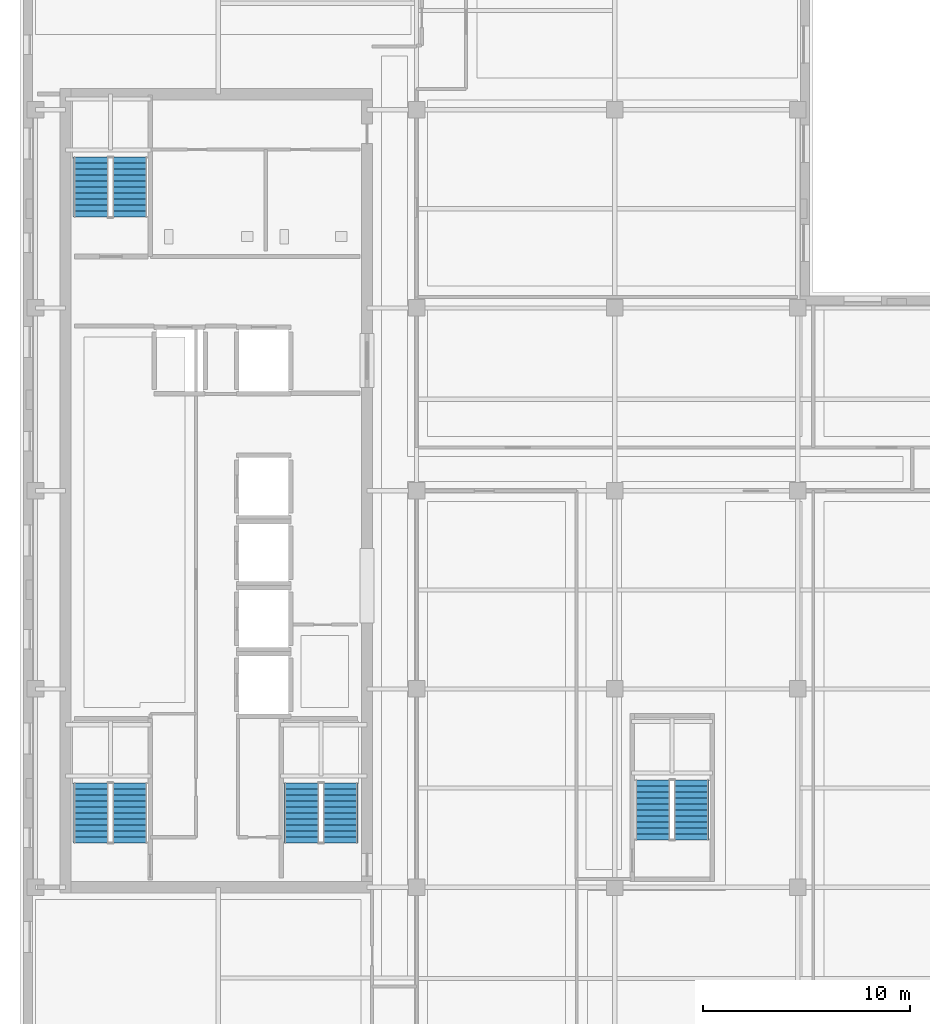
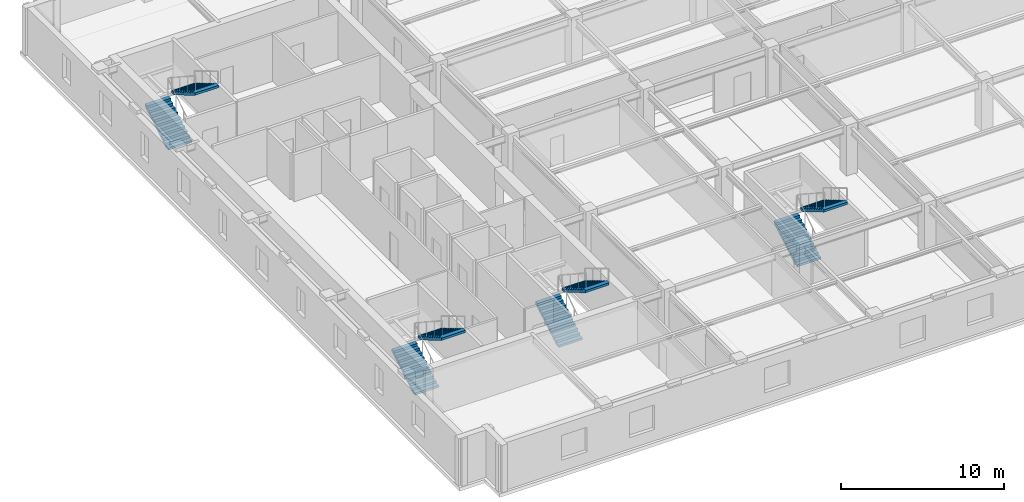
# One storey, part 7 of 12: 8 stair flights, 4 elements without a shape of their own.
"""IFC4 building model written with IfcOpenShell, lengths in metres."""

from ifc_helpers import new_model, si_unit, direction, frame, origin, place, context, subcontext, project, spatial, polyline, outline, extrude, material, type_object, element, aggregate, save


model = new_model("IFC4")

# Units and contexts
model_context = context("Model", 3, precision=1e-05, world=origin(), true_north=direction((0.0, 1.0)))
body_context = subcontext(model_context, "Body", "Model", "MODEL_VIEW")
ifc_project = project(units=[si_unit("LENGTHUNIT", "METRE"), si_unit("AREAUNIT", "SQUARE_METRE"), si_unit("VOLUMEUNIT", "CUBIC_METRE"), si_unit("PLANEANGLEUNIT", "RADIAN"), si_unit("MASSUNIT", "GRAM", prefix="KILO")], contexts=[model_context])

# Site, building, storey
site_placement = place(None, origin())
site = spatial("IfcSite", under=ifc_project, at=site_placement, CompositionType="ELEMENT")
building_placement = place(site_placement, origin())
building = spatial("IfcBuilding", under=site, at=building_placement, Name="Norrvale University Quadrangle", CompositionType="ELEMENT")
storey_placement = place(building_placement, frame((0.0, 0.0, 244.60009765625)))
storey = spatial("IfcBuildingStorey", under=building, at=storey_placement, Name="L62", CompositionType="ELEMENT", Elevation=244.60009765625)

# Stair, stair flights
ifc_material = material(Name="Concrete C40/50", Category="concrete")
stair_type = type_object("IfcStairType", Name="Stair Tower Typ 3800", PredefinedType="TWO_STRAIGHT_RUN_STAIR", material=ifc_material)
stair_1_placement = place(storey_placement, origin())
stair_1 = element("IfcStair", 1, at=stair_1_placement, inside=storey, type_object=stair_type, Name="Exit Stair ST-01 L62", PredefinedType="TWO_STRAIGHT_RUN_STAIR")
stair_flight_type = type_object("IfcStairFlightType", Name="Flight Typ 1500", PredefinedType="STRAIGHT", material=ifc_material)
stair_flight_1_placement = place(storey_placement, frame((3.429931640625, 11.75, 0.0), z_axis=(0.0, 0.0, 1.0), x_axis=(0.0, 1.0, 0.0)))
stair_flight_1 = element("IfcStairFlight", 2, at=stair_flight_1_placement, type_object=stair_flight_type, Name="Exit Stair ST-01 L62 Lower Flight", NumberOfRisers=11, NumberOfTreads=10, PredefinedType="STRAIGHT", RiserHeight=0.172727, TreadLength=0.29, context=body_context, shape_type="SweptSolid", body=[
    extrude(outline(polyline([(0.0, 0.0), (0.0, 0.172607421875), (0.2900390625, 0.172607421875), (0.2900390625, 0.345458984375), (0.580078125, 0.345458984375), (0.580078125, 0.51806640625), (0.8701171875, 0.51806640625), (0.8701171875, 0.69091796875), (1.159912109375, 0.69091796875), (1.159912109375, 0.863525390625), (1.449951171875, 0.863525390625), (1.449951171875, 1.036376953125), (1.739990234375, 1.036376953125), (1.739990234375, 1.208984375), (2.030029296875, 1.208984375), (2.030029296875, 1.3818359375), (2.320068359375, 1.3818359375), (2.320068359375, 1.554443359375), (2.610107421875, 1.554443359375), (2.610107421875, 1.727294921875), (2.89990234375, 1.727294921875), (2.89990234375, 1.89990234375), (2.89990234375, 1.552734375), (0.29296875, 0.0), (0.0, 0.0)])), frame((0.0, 0.83984375, 0.0), z_axis=(0.0, -1.0, 0.0), x_axis=(1.0, 0.0, 0.0)), (0.0, 0.0, 1.0), 1.679931640625),
])
stair_flight_2_placement = place(storey_placement, frame((5.320068359375, 14.64990234375, 1.89990234375), z_axis=(0.0, 0.0, 1.0), x_axis=(0.0, -1.0, 0.0)))
stair_flight_2 = element("IfcStairFlight", 3, at=stair_flight_2_placement, type_object=stair_flight_type, Name="Exit Stair ST-01 L62 Upper Flight", NumberOfRisers=11, NumberOfTreads=10, PredefinedType="STRAIGHT", RiserHeight=0.172727, TreadLength=0.29, context=body_context, shape_type="SweptSolid", body=[
    extrude(outline(polyline([(0.0, 0.0), (0.0, 0.172607421875), (0.2900390625, 0.172607421875), (0.2900390625, 0.345458984375), (0.580078125, 0.345458984375), (0.580078125, 0.51806640625), (0.8701171875, 0.51806640625), (0.8701171875, 0.69091796875), (1.159912109375, 0.69091796875), (1.159912109375, 0.863525390625), (1.449951171875, 0.863525390625), (1.449951171875, 1.036376953125), (1.739990234375, 1.036376953125), (1.739990234375, 1.208984375), (2.030029296875, 1.208984375), (2.030029296875, 1.3818359375), (2.320068359375, 1.3818359375), (2.320068359375, 1.554443359375), (2.610107421875, 1.554443359375), (2.610107421875, 1.727294921875), (2.89990234375, 1.727294921875), (2.89990234375, 1.89990234375), (2.89990234375, 1.552734375), (0.29296875, 0.0), (0.0, 0.0)])), frame((0.0, 0.83984375, 0.0), z_axis=(0.0, -1.0, 0.0), x_axis=(1.0, 0.0, 0.0)), (0.0, 0.0, 1.0), 1.679931640625),
])
aggregate(stair_1, [stair_flight_1, stair_flight_2])

stair_2_placement = place(storey_placement, origin())
stair_2 = element("IfcStair", 4, at=stair_2_placement, inside=storey, type_object=stair_type, Name="Exit Stair ST-02 L62", PredefinedType="TWO_STRAIGHT_RUN_STAIR")
stair_flight_3_placement = place(storey_placement, frame((3.429931640625, 42.050048828125, 0.0), z_axis=(0.0, 0.0, 1.0), x_axis=(0.0, 1.0, 0.0)))
stair_flight_3 = element("IfcStairFlight", 5, at=stair_flight_3_placement, type_object=stair_flight_type, Name="Exit Stair ST-02 L62 Lower Flight", NumberOfRisers=11, NumberOfTreads=10, PredefinedType="STRAIGHT", RiserHeight=0.172727, TreadLength=0.29, context=body_context, shape_type="SweptSolid", body=[
    extrude(outline(polyline([(0.0, 0.0), (0.0, 0.172607421875), (0.2900390625, 0.172607421875), (0.2900390625, 0.345458984375), (0.580078125, 0.345458984375), (0.580078125, 0.51806640625), (0.8701171875, 0.51806640625), (0.8701171875, 0.69091796875), (1.159912109375, 0.69091796875), (1.159912109375, 0.863525390625), (1.449951171875, 0.863525390625), (1.449951171875, 1.036376953125), (1.739990234375, 1.036376953125), (1.739990234375, 1.208984375), (2.030029296875, 1.208984375), (2.030029296875, 1.3818359375), (2.320068359375, 1.3818359375), (2.320068359375, 1.554443359375), (2.610107421875, 1.554443359375), (2.610107421875, 1.727294921875), (2.89990234375, 1.727294921875), (2.89990234375, 1.89990234375), (2.89990234375, 1.552734375), (0.29296875, 0.0), (0.0, 0.0)])), frame((0.0, 0.83984375, 0.0), z_axis=(0.0, -1.0, 0.0), x_axis=(1.0, 0.0, 0.0)), (0.0, 0.0, 1.0), 1.679931640625),
])
stair_flight_4_placement = place(storey_placement, frame((5.320068359375, 44.949951171875, 1.89990234375), z_axis=(0.0, 0.0, 1.0), x_axis=(0.0, -1.0, 0.0)))
stair_flight_4 = element("IfcStairFlight", 6, at=stair_flight_4_placement, type_object=stair_flight_type, Name="Exit Stair ST-02 L62 Upper Flight", NumberOfRisers=11, NumberOfTreads=10, PredefinedType="STRAIGHT", RiserHeight=0.172727, TreadLength=0.29, context=body_context, shape_type="SweptSolid", body=[
    extrude(outline(polyline([(0.0, 0.0), (0.0, 0.172607421875), (0.2900390625, 0.172607421875), (0.2900390625, 0.345458984375), (0.580078125, 0.345458984375), (0.580078125, 0.51806640625), (0.8701171875, 0.51806640625), (0.8701171875, 0.69091796875), (1.159912109375, 0.69091796875), (1.159912109375, 0.863525390625), (1.449951171875, 0.863525390625), (1.449951171875, 1.036376953125), (1.739990234375, 1.036376953125), (1.739990234375, 1.208984375), (2.030029296875, 1.208984375), (2.030029296875, 1.3818359375), (2.320068359375, 1.3818359375), (2.320068359375, 1.554443359375), (2.610107421875, 1.554443359375), (2.610107421875, 1.727294921875), (2.89990234375, 1.727294921875), (2.89990234375, 1.89990234375), (2.89990234375, 1.552734375), (0.29296875, 0.0), (0.0, 0.0)])), frame((0.0, 0.83984375, 0.0), z_axis=(0.0, -1.0, 0.0), x_axis=(1.0, 0.0, 0.0)), (0.0, 0.0, 1.0), 1.679931640625),
])
aggregate(stair_2, [stair_flight_3, stair_flight_4])

stair_3_placement = place(storey_placement, origin())
stair_3 = element("IfcStair", 7, at=stair_3_placement, inside=storey, type_object=stair_type, Name="Exit Stair ST-03 L62", PredefinedType="TWO_STRAIGHT_RUN_STAIR")
stair_flight_5_placement = place(storey_placement, frame((13.6298828125, 11.75, 0.0), z_axis=(0.0, 0.0, 1.0), x_axis=(0.0, 1.0, 0.0)))
stair_flight_5 = element("IfcStairFlight", 8, at=stair_flight_5_placement, type_object=stair_flight_type, Name="Exit Stair ST-03 L62 Lower Flight", NumberOfRisers=11, NumberOfTreads=10, PredefinedType="STRAIGHT", RiserHeight=0.172727, TreadLength=0.29, context=body_context, shape_type="SweptSolid", body=[
    extrude(outline(polyline([(0.0, 0.0), (0.0, 0.172607421875), (0.2900390625, 0.172607421875), (0.2900390625, 0.345458984375), (0.580078125, 0.345458984375), (0.580078125, 0.51806640625), (0.8701171875, 0.51806640625), (0.8701171875, 0.69091796875), (1.159912109375, 0.69091796875), (1.159912109375, 0.863525390625), (1.449951171875, 0.863525390625), (1.449951171875, 1.036376953125), (1.739990234375, 1.036376953125), (1.739990234375, 1.208984375), (2.030029296875, 1.208984375), (2.030029296875, 1.3818359375), (2.320068359375, 1.3818359375), (2.320068359375, 1.554443359375), (2.610107421875, 1.554443359375), (2.610107421875, 1.727294921875), (2.89990234375, 1.727294921875), (2.89990234375, 1.89990234375), (2.89990234375, 1.552734375), (0.29296875, 0.0), (0.0, 0.0)])), frame((0.0, 0.83984375, 0.0), z_axis=(0.0, -1.0, 0.0), x_axis=(1.0, 0.0, 0.0)), (0.0, 0.0, 1.0), 1.679931640625),
])
stair_flight_6_placement = place(storey_placement, frame((15.52001953125, 14.64990234375, 1.89990234375), z_axis=(0.0, 0.0, 1.0), x_axis=(0.0, -1.0, 0.0)))
stair_flight_6 = element("IfcStairFlight", 9, at=stair_flight_6_placement, type_object=stair_flight_type, Name="Exit Stair ST-03 L62 Upper Flight", NumberOfRisers=11, NumberOfTreads=10, PredefinedType="STRAIGHT", RiserHeight=0.172727, TreadLength=0.29, context=body_context, shape_type="SweptSolid", body=[
    extrude(outline(polyline([(0.0, 0.0), (0.0, 0.172607421875), (0.2900390625, 0.172607421875), (0.2900390625, 0.345458984375), (0.580078125, 0.345458984375), (0.580078125, 0.51806640625), (0.8701171875, 0.51806640625), (0.8701171875, 0.69091796875), (1.159912109375, 0.69091796875), (1.159912109375, 0.863525390625), (1.449951171875, 0.863525390625), (1.449951171875, 1.036376953125), (1.739990234375, 1.036376953125), (1.739990234375, 1.208984375), (2.030029296875, 1.208984375), (2.030029296875, 1.3818359375), (2.320068359375, 1.3818359375), (2.320068359375, 1.554443359375), (2.610107421875, 1.554443359375), (2.610107421875, 1.727294921875), (2.89990234375, 1.727294921875), (2.89990234375, 1.89990234375), (2.89990234375, 1.552734375), (0.29296875, 0.0), (0.0, 0.0)])), frame((0.0, 0.83984375, 0.0), z_axis=(0.0, -1.0, 0.0), x_axis=(1.0, 0.0, 0.0)), (0.0, 0.0, 1.0), 1.679931640625),
])
aggregate(stair_3, [stair_flight_5, stair_flight_6])

stair_4_placement = place(storey_placement, origin())
stair_4 = element("IfcStair", 10, at=stair_4_placement, inside=storey, type_object=stair_type, Name="Exit Stair ST-04 L62", PredefinedType="TWO_STRAIGHT_RUN_STAIR")
stair_flight_7_placement = place(storey_placement, frame((30.6298828125, 11.89990234375, 0.0), z_axis=(0.0, 0.0, 1.0), x_axis=(0.0, 1.0, 0.0)))
stair_flight_7 = element("IfcStairFlight", 11, at=stair_flight_7_placement, type_object=stair_flight_type, Name="Exit Stair ST-04 L62 Lower Flight", NumberOfRisers=11, NumberOfTreads=10, PredefinedType="STRAIGHT", RiserHeight=0.172727, TreadLength=0.29, context=body_context, shape_type="SweptSolid", body=[
    extrude(outline(polyline([(0.0, 0.0), (0.0, 0.172607421875), (0.2900390625, 0.172607421875), (0.2900390625, 0.345458984375), (0.580078125, 0.345458984375), (0.580078125, 0.51806640625), (0.8701171875, 0.51806640625), (0.8701171875, 0.69091796875), (1.159912109375, 0.69091796875), (1.159912109375, 0.863525390625), (1.449951171875, 0.863525390625), (1.449951171875, 1.036376953125), (1.739990234375, 1.036376953125), (1.739990234375, 1.208984375), (2.030029296875, 1.208984375), (2.030029296875, 1.3818359375), (2.320068359375, 1.3818359375), (2.320068359375, 1.554443359375), (2.610107421875, 1.554443359375), (2.610107421875, 1.727294921875), (2.89990234375, 1.727294921875), (2.89990234375, 1.89990234375), (2.89990234375, 1.552734375), (0.29296875, 0.0), (0.0, 0.0)])), frame((0.0, 0.83984375, 0.0), z_axis=(0.0, -1.0, 0.0), x_axis=(1.0, 0.0, 0.0)), (0.0, 0.0, 1.0), 1.679931640625),
])
stair_flight_8_placement = place(storey_placement, frame((32.52001953125, 14.800048828125, 1.89990234375), z_axis=(0.0, 0.0, 1.0), x_axis=(0.0, -1.0, 0.0)))
stair_flight_8 = element("IfcStairFlight", 12, at=stair_flight_8_placement, type_object=stair_flight_type, Name="Exit Stair ST-04 L62 Upper Flight", NumberOfRisers=11, NumberOfTreads=10, PredefinedType="STRAIGHT", RiserHeight=0.172727, TreadLength=0.29, context=body_context, shape_type="SweptSolid", body=[
    extrude(outline(polyline([(0.0, 0.0), (0.0, 0.172607421875), (0.2900390625, 0.172607421875), (0.2900390625, 0.345458984375), (0.580078125, 0.345458984375), (0.580078125, 0.51806640625), (0.8701171875, 0.51806640625), (0.8701171875, 0.69091796875), (1.159912109375, 0.69091796875), (1.159912109375, 0.863525390625), (1.449951171875, 0.863525390625), (1.449951171875, 1.036376953125), (1.739990234375, 1.036376953125), (1.739990234375, 1.208984375), (2.030029296875, 1.208984375), (2.030029296875, 1.3818359375), (2.320068359375, 1.3818359375), (2.320068359375, 1.554443359375), (2.610107421875, 1.554443359375), (2.610107421875, 1.727294921875), (2.89990234375, 1.727294921875), (2.89990234375, 1.89990234375), (2.89990234375, 1.552734375), (0.29296875, 0.0), (0.0, 0.0)])), frame((0.0, 0.83984375, 0.0), z_axis=(0.0, -1.0, 0.0), x_axis=(1.0, 0.0, 0.0)), (0.0, 0.0, 1.0), 1.679931640625),
])
aggregate(stair_4, [stair_flight_7, stair_flight_8])

save(model, "model.ifc")
